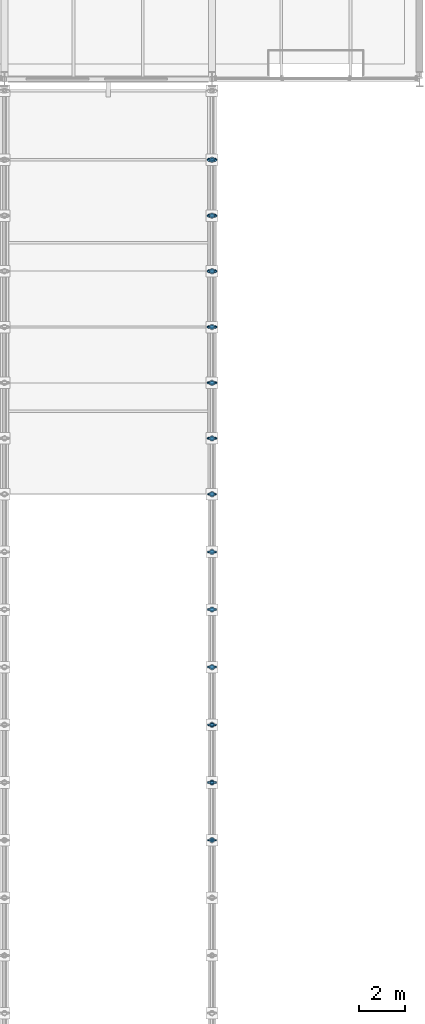
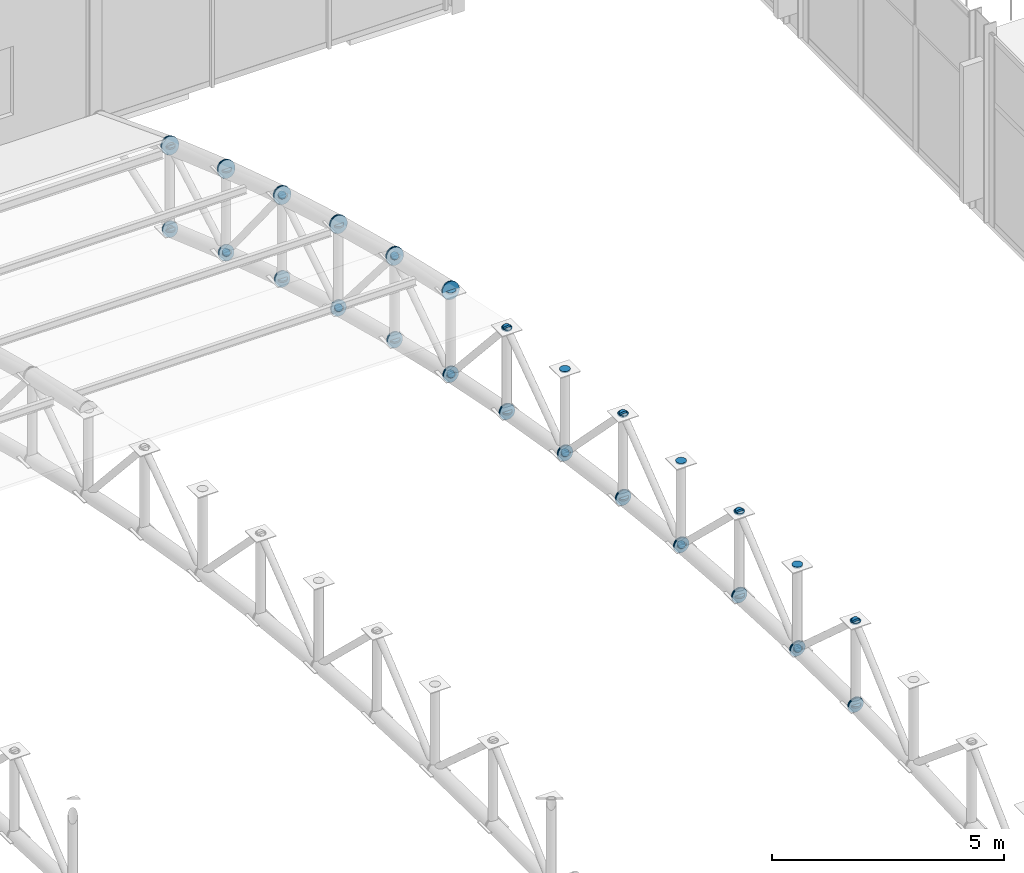
# One storey, part 140 of 195: 88 discrete accessories.
"""IFC4 building model written with IfcOpenShell, lengths in metres."""

from ifc_helpers import new_model, si_unit, direction, frame, origin, origin_2d, place, context, subcontext, project, spatial, circle, extrude, material, element, save


model = new_model("IFC4")

# Units and contexts
model_context = context("Model", 3, precision=1e-05, world=origin(), true_north=direction((0.0, 1.0)))
body_context = subcontext(model_context, "Body", "Model", "MODEL_VIEW")
ifc_project = project(units=[si_unit("LENGTHUNIT", "METRE"), si_unit("AREAUNIT", "SQUARE_METRE"), si_unit("VOLUMEUNIT", "CUBIC_METRE"), si_unit("PLANEANGLEUNIT", "RADIAN"), si_unit("MASSUNIT", "GRAM", prefix="KILO")], contexts=[model_context])

# Site, building, storey
site_placement = place(None, origin())
site = spatial("IfcSite", under=ifc_project, at=site_placement, CompositionType="ELEMENT")
building_placement = place(site_placement, origin())
building = spatial("IfcBuilding", under=site, at=building_placement, Name="Marlcrest Central Station", CompositionType="ELEMENT")
storey_placement = place(building_placement, frame((0.0, 0.0, 9.800048828125)))
storey = spatial("IfcBuildingStorey", under=building, at=storey_placement, Name="L02", CompositionType="ELEMENT", Elevation=9.800048828125)

# Discrete accessories
ifc_material = material(Name="Steel S355", Category="steel")
discrete_accessory_1_placement = place(storey_placement, frame((72.0, 65.97509765625, 4.799560546875), z_axis=(0.0, 0.999879472592, 0.01552547228), x_axis=(-1.0, 0.0, 0.0)))
element("IfcDiscreteAccessory", 1, at=discrete_accessory_1_placement, inside=storey, material=ifc_material, Name="endcap-mem-AC-02-L02-01036-e", ObjectType="END_CAP_PLATE", PredefinedType="BRACKET", context=body_context, shape_type="SweptSolid", body=[
    extrude(circle(Radius=0.185791015625, at=origin_2d()), origin(), (0.0, 0.0, 1.0), 0.0400390625),
])
discrete_accessory_2_placement = place(storey_placement, frame((72.0, 65.9814453125, 6.9833984375), z_axis=(0.0, 0.744955843007, 0.66711377738), x_axis=(-1.0, 0.0, 0.0)))
element("IfcDiscreteAccessory", 2, at=discrete_accessory_2_placement, inside=storey, material=ifc_material, Name="endcap-mem-AD-01-L02-01038-e", ObjectType="END_CAP_PLATE", PredefinedType="BRACKET", context=body_context, shape_type="SweptSolid", body=[
    extrude(circle(Radius=0.092041015625, at=origin_2d()), origin(), (0.0, 0.0, 1.0), 0.0400390625),
])
for number, where, z_axis, x_axis, name in (
    (3, (72.0, 65.985107421875, 4.80029296875), (0.0, 0.999879472592, -0.01552547228), (-1.0, 0.0, 0.0), "endcap-mem-AC-02-L02-01040-s"),
    (4, (72.0, 68.47509765625, 4.76171875), (0.0, 0.999879472592, -0.01552547228), (-1.0, 0.0, 0.0), "endcap-mem-AC-02-L02-01040-e"),
):
    element("IfcDiscreteAccessory", number, at=place(storey_placement, frame(where, z_axis=z_axis, x_axis=x_axis)), inside=storey, material=ifc_material, Name=name, ObjectType="END_CAP_PLATE", PredefinedType="BRACKET", context=body_context, shape_type="SweptSolid", body=[
        extrude(circle(Radius=0.185791015625, at=origin_2d()), origin(), (0.0, 0.0, 1.0), 0.0400390625),
    ])
for number, where, z_axis, x_axis, name in (
    (5, (72.0, 66.0, 4.78515625), (0.0, 0.0, 1.0), (1.0, 0.0, 0.0), "endcap-mem-AP-01-L02-01041-s"),
    (6, (72.0, 66.0, 6.97509765625), (0.0, 0.0, 1.0), (1.0, 0.0, 0.0), "endcap-mem-AP-01-L02-01041-e"),
):
    element("IfcDiscreteAccessory", number, at=place(storey_placement, frame(where, z_axis=z_axis, x_axis=x_axis)), inside=storey, material=ifc_material, Name=name, ObjectType="END_CAP_PLATE", PredefinedType="BRACKET", context=body_context, shape_type="SweptSolid", body=[
        extrude(circle(Radius=0.117431640625, at=origin_2d()), origin(), (0.0, 0.0, 1.0), 0.0400390625),
    ])
for number, where, z_axis, x_axis, name in (
    (7, (72.0, 65.98876953125, 7.010009765625), (0.0, 0.744955843007, -0.66711377738), (-1.0, 0.0, 0.0), "endcap-mem-AD-01-L02-01042-s"),
    (8, (72.0, 68.4814453125, 4.77783203125), (0.0, 0.744955843007, -0.66711377738), (-1.0, 0.0, 0.0), "endcap-mem-AD-01-L02-01042-e"),
):
    element("IfcDiscreteAccessory", number, at=place(storey_placement, frame(where, z_axis=z_axis, x_axis=x_axis)), inside=storey, material=ifc_material, Name=name, ObjectType="END_CAP_PLATE", PredefinedType="BRACKET", context=body_context, shape_type="SweptSolid", body=[
        extrude(circle(Radius=0.092041015625, at=origin_2d()), origin(), (0.0, 0.0, 1.0), 0.0400390625),
    ])
for number, where, z_axis, x_axis, name in (
    (9, (72.0, 68.485107421875, 4.761962890625), (0.0, 0.998916819647, -0.046531574509), (-1.0, 0.0, 0.0), "endcap-mem-AC-02-L02-01044-s"),
    (10, (72.0, 70.97509765625, 4.64599609375), (0.0, 0.998916819647, -0.046531574509), (-1.0, 0.0, 0.0), "endcap-mem-AC-02-L02-01044-e"),
):
    element("IfcDiscreteAccessory", number, at=place(storey_placement, frame(where, z_axis=z_axis, x_axis=x_axis)), inside=storey, material=ifc_material, Name=name, ObjectType="END_CAP_PLATE", PredefinedType="BRACKET", context=body_context, shape_type="SweptSolid", body=[
        extrude(circle(Radius=0.185791015625, at=origin_2d()), origin(), (0.0, 0.0, 1.0), 0.0400390625),
    ])
for number, where, z_axis, x_axis, name in (
    (11, (72.0, 68.5, 4.746337890625), (0.0, 0.0, 1.0), (1.0, 0.0, 0.0), "endcap-mem-AP-01-L02-01045-s"),
    (12, (72.0, 68.5, 6.936279296875), (0.0, 0.0, 1.0), (1.0, 0.0, 0.0), "endcap-mem-AP-01-L02-01045-e"),
):
    element("IfcDiscreteAccessory", number, at=place(storey_placement, frame(where, z_axis=z_axis, x_axis=x_axis)), inside=storey, material=ifc_material, Name=name, ObjectType="END_CAP_PLATE", PredefinedType="BRACKET", context=body_context, shape_type="SweptSolid", body=[
        extrude(circle(Radius=0.117431640625, at=origin_2d()), origin(), (0.0, 0.0, 1.0), 0.0400390625),
    ])
for number, where, z_axis, x_axis, name in (
    (13, (72.0, 68.488525390625, 4.751708984375), (0.0, 0.768159787854, 0.640258182552), (-1.0, 0.0, 0.0), "endcap-mem-AD-01-L02-01046-s"),
    (14, (72.0, 70.980712890625, 6.828857421875), (0.0, 0.768159787854, 0.640258182552), (-1.0, 0.0, 0.0), "endcap-mem-AD-01-L02-01046-e"),
):
    element("IfcDiscreteAccessory", number, at=place(storey_placement, frame(where, z_axis=z_axis, x_axis=x_axis)), inside=storey, material=ifc_material, Name=name, ObjectType="END_CAP_PLATE", PredefinedType="BRACKET", context=body_context, shape_type="SweptSolid", body=[
        extrude(circle(Radius=0.092041015625, at=origin_2d()), origin(), (0.0, 0.0, 1.0), 0.0400390625),
    ])
for number, where, z_axis, x_axis, name in (
    (15, (72.0, 70.985107421875, 4.64599609375), (0.0, 0.997007334767, -0.077307014043), (-1.0, 0.0, 0.0), "endcap-mem-AC-02-L02-01048-s"),
    (16, (72.0, 73.47509765625, 4.452880859375), (0.0, 0.997007334767, -0.077307014043), (-1.0, 0.0, 0.0), "endcap-mem-AC-02-L02-01048-e"),
):
    element("IfcDiscreteAccessory", number, at=place(storey_placement, frame(where, z_axis=z_axis, x_axis=x_axis)), inside=storey, material=ifc_material, Name=name, ObjectType="END_CAP_PLATE", PredefinedType="BRACKET", context=body_context, shape_type="SweptSolid", body=[
        extrude(circle(Radius=0.185791015625, at=origin_2d()), origin(), (0.0, 0.0, 1.0), 0.0400390625),
    ])
for number, where, z_axis, x_axis, name in (
    (17, (72.0, 71.0, 4.6298828125), (0.0, 0.0, 1.0), (1.0, 0.0, 0.0), "endcap-mem-AP-01-L02-01049-s"),
    (18, (72.0, 71.0, 6.820068359375), (0.0, 0.0, 1.0), (1.0, 0.0, 0.0), "endcap-mem-AP-01-L02-01049-e"),
):
    element("IfcDiscreteAccessory", number, at=place(storey_placement, frame(where, z_axis=z_axis, x_axis=x_axis)), inside=storey, material=ifc_material, Name=name, ObjectType="END_CAP_PLATE", PredefinedType="BRACKET", context=body_context, shape_type="SweptSolid", body=[
        extrude(circle(Radius=0.117431640625, at=origin_2d()), origin(), (0.0, 0.0, 1.0), 0.0400390625),
    ])
for number, where, z_axis, x_axis, name in (
    (19, (72.0, 70.9892578125, 6.855224609375), (0.0, 0.722246537655, -0.691635698071), (-1.0, 0.0, 0.0), "endcap-mem-AD-01-L02-01050-s"),
    (20, (72.0, 73.48193359375, 4.46826171875), (0.0, 0.722246537655, -0.691635698071), (-1.0, 0.0, 0.0), "endcap-mem-AD-01-L02-01050-e"),
):
    element("IfcDiscreteAccessory", number, at=place(storey_placement, frame(where, z_axis=z_axis, x_axis=x_axis)), inside=storey, material=ifc_material, Name=name, ObjectType="END_CAP_PLATE", PredefinedType="BRACKET", context=body_context, shape_type="SweptSolid", body=[
        extrude(circle(Radius=0.092041015625, at=origin_2d()), origin(), (0.0, 0.0, 1.0), 0.0400390625),
    ])
for number, where, z_axis, x_axis, name in (
    (21, (72.0, 73.485107421875, 4.45263671875), (0.0, 0.994155341034, -0.107959056565), (-1.0, 0.0, 0.0), "endcap-mem-AC-02-L02-01052-s"),
    (22, (72.0, 75.97509765625, 4.18212890625), (0.0, 0.994155341034, -0.107959056565), (-1.0, 0.0, 0.0), "endcap-mem-AC-02-L02-01052-e"),
):
    element("IfcDiscreteAccessory", number, at=place(storey_placement, frame(where, z_axis=z_axis, x_axis=x_axis)), inside=storey, material=ifc_material, Name=name, ObjectType="END_CAP_PLATE", PredefinedType="BRACKET", context=body_context, shape_type="SweptSolid", body=[
        extrude(circle(Radius=0.185791015625, at=origin_2d()), origin(), (0.0, 0.0, 1.0), 0.0400390625),
    ])
for number, where, z_axis, x_axis, name in (
    (23, (72.0, 73.5, 4.43603515625), (0.0, 0.0, 1.0), (1.0, 0.0, 0.0), "endcap-mem-AP-01-L02-01053-s"),
    (24, (72.0, 73.5, 6.6259765625), (0.0, 0.0, 1.0), (1.0, 0.0, 0.0), "endcap-mem-AP-01-L02-01053-e"),
):
    element("IfcDiscreteAccessory", number, at=place(storey_placement, frame(where, z_axis=z_axis, x_axis=x_axis)), inside=storey, material=ifc_material, Name=name, ObjectType="END_CAP_PLATE", PredefinedType="BRACKET", context=body_context, shape_type="SweptSolid", body=[
        extrude(circle(Radius=0.117431640625, at=origin_2d()), origin(), (0.0, 0.0, 1.0), 0.0400390625),
    ])
for number, where, z_axis, x_axis, name in (
    (25, (72.0, 73.488037109375, 4.441650390625), (0.0, 0.791798282026, 0.610782678684), (-1.0, 0.0, 0.0), "endcap-mem-AD-01-L02-01054-s"),
    (26, (72.0, 75.980224609375, 6.364013671875), (0.0, 0.791798282026, 0.610782678684), (-1.0, 0.0, 0.0), "endcap-mem-AD-01-L02-01054-e"),
):
    element("IfcDiscreteAccessory", number, at=place(storey_placement, frame(where, z_axis=z_axis, x_axis=x_axis)), inside=storey, material=ifc_material, Name=name, ObjectType="END_CAP_PLATE", PredefinedType="BRACKET", context=body_context, shape_type="SweptSolid", body=[
        extrude(circle(Radius=0.092041015625, at=origin_2d()), origin(), (0.0, 0.0, 1.0), 0.0400390625),
    ])
for number, where, z_axis, x_axis, name in (
    (27, (72.0, 75.985107421875, 4.181396484375), (0.0, 0.990402740232, -0.138211476152), (-1.0, 0.0, 0.0), "endcap-mem-AC-02-L02-01056-s"),
    (28, (72.0, 78.475341796875, 3.833984375), (0.0, 0.990402740232, -0.138211476152), (-1.0, 0.0, 0.0), "endcap-mem-AC-02-L02-01056-e"),
):
    element("IfcDiscreteAccessory", number, at=place(storey_placement, frame(where, z_axis=z_axis, x_axis=x_axis)), inside=storey, material=ifc_material, Name=name, ObjectType="END_CAP_PLATE", PredefinedType="BRACKET", context=body_context, shape_type="SweptSolid", body=[
        extrude(circle(Radius=0.185791015625, at=origin_2d()), origin(), (0.0, 0.0, 1.0), 0.0400390625),
    ])
for number, where, z_axis, x_axis, name in (
    (29, (72.0, 76.0, 4.16455078125), (0.0, 0.0, 1.0), (1.0, 0.0, 0.0), "endcap-mem-AP-01-L02-01057-s"),
    (30, (72.0, 76.0, 6.3544921875), (0.0, 0.0, 1.0), (1.0, 0.0, 0.0), "endcap-mem-AP-01-L02-01057-e"),
):
    element("IfcDiscreteAccessory", number, at=place(storey_placement, frame(where, z_axis=z_axis, x_axis=x_axis)), inside=storey, material=ifc_material, Name=name, ObjectType="END_CAP_PLATE", PredefinedType="BRACKET", context=body_context, shape_type="SweptSolid", body=[
        extrude(circle(Radius=0.117431640625, at=origin_2d()), origin(), (0.0, 0.0, 1.0), 0.0400390625),
    ])
for number, where, z_axis, x_axis, name in (
    (31, (72.0, 75.989501953125, 6.39013671875), (0.0, 0.70023547796, -0.713911952139), (-1.0, 0.0, 0.0), "endcap-mem-AD-01-L02-01058-s"),
    (32, (72.0, 78.482421875, 3.848388671875), (0.0, 0.70023547796, -0.713911952139), (-1.0, 0.0, 0.0), "endcap-mem-AD-01-L02-01058-e"),
):
    element("IfcDiscreteAccessory", number, at=place(storey_placement, frame(where, z_axis=z_axis, x_axis=x_axis)), inside=storey, material=ifc_material, Name=name, ObjectType="END_CAP_PLATE", PredefinedType="BRACKET", context=body_context, shape_type="SweptSolid", body=[
        extrude(circle(Radius=0.092041015625, at=origin_2d()), origin(), (0.0, 0.0, 1.0), 0.0400390625),
    ])
for number, where, z_axis, x_axis, name in (
    (33, (72.0, 78.485107421875, 3.8330078125), (0.0, 0.98574109921, -0.168269086076), (-1.0, 0.0, 0.0), "endcap-mem-AC-02-L02-01060-s"),
    (34, (72.0, 80.975341796875, 3.407958984375), (0.0, 0.98574109921, -0.168269086076), (-1.0, 0.0, 0.0), "endcap-mem-AC-02-L02-01060-e"),
):
    element("IfcDiscreteAccessory", number, at=place(storey_placement, frame(where, z_axis=z_axis, x_axis=x_axis)), inside=storey, material=ifc_material, Name=name, ObjectType="END_CAP_PLATE", PredefinedType="BRACKET", context=body_context, shape_type="SweptSolid", body=[
        extrude(circle(Radius=0.185791015625, at=origin_2d()), origin(), (0.0, 0.0, 1.0), 0.0400390625),
    ])
for number, where, z_axis, x_axis, name in (
    (35, (72.0, 78.5, 3.815673828125), (0.0, 0.0, 1.0), (1.0, 0.0, 0.0), "endcap-mem-AP-01-L02-01061-s"),
    (36, (72.0, 78.5, 6.005615234375), (0.0, 0.0, 1.0), (1.0, 0.0, 0.0), "endcap-mem-AP-01-L02-01061-e"),
):
    element("IfcDiscreteAccessory", number, at=place(storey_placement, frame(where, z_axis=z_axis, x_axis=x_axis)), inside=storey, material=ifc_material, Name=name, ObjectType="END_CAP_PLATE", PredefinedType="BRACKET", context=body_context, shape_type="SweptSolid", body=[
        extrude(circle(Radius=0.117431640625, at=origin_2d()), origin(), (0.0, 0.0, 1.0), 0.0400390625),
    ])
for number, where, z_axis, x_axis, name in (
    (37, (72.0, 78.48779296875, 3.82177734375), (0.0, 0.815661132754, 0.57852996164), (-1.0, 0.0, 0.0), "endcap-mem-AD-01-L02-01062-s"),
    (38, (72.0, 80.9794921875, 5.58935546875), (0.0, 0.815661132754, 0.57852996164), (-1.0, 0.0, 0.0), "endcap-mem-AD-01-L02-01062-e"),
):
    element("IfcDiscreteAccessory", number, at=place(storey_placement, frame(where, z_axis=z_axis, x_axis=x_axis)), inside=storey, material=ifc_material, Name=name, ObjectType="END_CAP_PLATE", PredefinedType="BRACKET", context=body_context, shape_type="SweptSolid", body=[
        extrude(circle(Radius=0.092041015625, at=origin_2d()), origin(), (0.0, 0.0, 1.0), 0.0400390625),
    ])
for number, where, z_axis, x_axis, name in (
    (39, (72.0, 80.9853515625, 3.40673828125), (0.0, 0.980359417961, -0.197219196874), (-1.0, 0.0, 0.0), "endcap-mem-AC-02-L02-01064-s"),
    (40, (72.0, 83.3955078125, 2.921875), (0.0, 0.980359417961, -0.197219196874), (-1.0, 0.0, 0.0), "endcap-mem-AC-02-L02-01064-e"),
):
    element("IfcDiscreteAccessory", number, at=place(storey_placement, frame(where, z_axis=z_axis, x_axis=x_axis)), inside=storey, material=ifc_material, Name=name, ObjectType="END_CAP_PLATE", PredefinedType="BRACKET", context=body_context, shape_type="SweptSolid", body=[
        extrude(circle(Radius=0.185791015625, at=origin_2d()), origin(), (0.0, 0.0, 1.0), 0.0400390625),
    ])
for number, where, z_axis, x_axis, name in (
    (41, (72.0, 81.0, 3.388916015625), (0.0, 0.0, 1.0), (1.0, 0.0, 0.0), "endcap-mem-AP-01-L02-01065-s"),
    (42, (72.0, 81.0, 5.578857421875), (0.0, 0.0, 1.0), (1.0, 0.0, 0.0), "endcap-mem-AP-01-L02-01065-e"),
):
    element("IfcDiscreteAccessory", number, at=place(storey_placement, frame(where, z_axis=z_axis, x_axis=x_axis)), inside=storey, material=ifc_material, Name=name, ObjectType="END_CAP_PLATE", PredefinedType="BRACKET", context=body_context, shape_type="SweptSolid", body=[
        extrude(circle(Radius=0.117431640625, at=origin_2d()), origin(), (0.0, 0.0, 1.0), 0.0400390625),
    ])
for number, where, z_axis, x_axis, name in (
    (43, (72.0, 80.989990234375, 5.614990234375), (0.0, 0.669244457479, -0.743042297675), (-1.0, 0.0, 0.0), "endcap-mem-AD-01-L02-01066-s"),
    (44, (72.0, 83.403076171875, 2.935546875), (0.0, 0.669244457479, -0.743042297675), (-1.0, 0.0, 0.0), "endcap-mem-AD-01-L02-01066-e"),
):
    element("IfcDiscreteAccessory", number, at=place(storey_placement, frame(where, z_axis=z_axis, x_axis=x_axis)), inside=storey, material=ifc_material, Name=name, ObjectType="END_CAP_PLATE", PredefinedType="BRACKET", context=body_context, shape_type="SweptSolid", body=[
        extrude(circle(Radius=0.092041015625, at=origin_2d()), origin(), (0.0, 0.0, 1.0), 0.0400390625),
    ])
for number, where, z_axis, x_axis, name in (
    (45, (72.0, 83.4052734375, 5.120361328125), (0.0, 0.974329612642, -0.225126200004), (-1.0, 0.0, 0.0), "endcap-mem-AC-01-L02-01067-s"),
    (46, (72.0, 85.8056640625, 4.565673828125), (0.0, 0.974329612642, -0.225126200004), (-1.0, 0.0, 0.0), "endcap-mem-AC-01-L02-01067-e"),
):
    element("IfcDiscreteAccessory", number, at=place(storey_placement, frame(where, z_axis=z_axis, x_axis=x_axis)), inside=storey, material=ifc_material, Name=name, ObjectType="END_CAP_PLATE", PredefinedType="BRACKET", context=body_context, shape_type="SweptSolid", body=[
        extrude(circle(Radius=0.211181640625, at=origin_2d()), origin(), (0.0, 0.0, 1.0), 0.0400390625),
    ])
for number, where, z_axis, x_axis, name in (
    (47, (72.0, 83.4052734375, 2.92041015625), (0.0, 0.974307959875, -0.225219891049), (-1.0, 0.0, 0.0), "endcap-mem-AC-02-L02-01068-s"),
    (48, (72.0, 85.8056640625, 2.365478515625), (0.0, 0.974307959875, -0.225219891049), (-1.0, 0.0, 0.0), "endcap-mem-AC-02-L02-01068-e"),
):
    element("IfcDiscreteAccessory", number, at=place(storey_placement, frame(where, z_axis=z_axis, x_axis=x_axis)), inside=storey, material=ifc_material, Name=name, ObjectType="END_CAP_PLATE", PredefinedType="BRACKET", context=body_context, shape_type="SweptSolid", body=[
        extrude(circle(Radius=0.185791015625, at=origin_2d()), origin(), (0.0, 0.0, 1.0), 0.0400390625),
    ])
for number, where, z_axis, x_axis, name in (
    (49, (72.0, 83.419921875, 2.902099609375), (0.0, 0.0, 1.0), (1.0, 0.0, 0.0), "endcap-mem-AP-01-L02-01069-s"),
    (50, (72.0, 83.419921875, 5.092041015625), (0.0, 0.0, 1.0), (1.0, 0.0, 0.0), "endcap-mem-AP-01-L02-01069-e"),
):
    element("IfcDiscreteAccessory", number, at=place(storey_placement, frame(where, z_axis=z_axis, x_axis=x_axis)), inside=storey, material=ifc_material, Name=name, ObjectType="END_CAP_PLATE", PredefinedType="BRACKET", context=body_context, shape_type="SweptSolid", body=[
        extrude(circle(Radius=0.117431640625, at=origin_2d()), origin(), (0.0, 0.0, 1.0), 0.0400390625),
    ])
for number, where, z_axis, x_axis, name in (
    (51, (72.0, 83.407470703125, 2.908447265625), (0.0, 0.82626275624, 0.563284881432), (-1.0, 0.0, 0.0), "endcap-mem-AD-01-L02-01070-s"),
    (52, (72.0, 85.809326171875, 4.5458984375), (0.0, 0.82626275624, 0.563284881432), (-1.0, 0.0, 0.0), "endcap-mem-AD-01-L02-01070-e"),
):
    element("IfcDiscreteAccessory", number, at=place(storey_placement, frame(where, z_axis=z_axis, x_axis=x_axis)), inside=storey, material=ifc_material, Name=name, ObjectType="END_CAP_PLATE", PredefinedType="BRACKET", context=body_context, shape_type="SweptSolid", body=[
        extrude(circle(Radius=0.092041015625, at=origin_2d()), origin(), (0.0, 0.0, 1.0), 0.0400390625),
    ])
for number, where, z_axis, x_axis, name in (
    (53, (72.0, 85.815673828125, 4.56396484375), (0.0, 0.967539481681, -0.252719906989), (-1.0, 0.0, 0.0), "endcap-mem-AC-01-L02-01071-s"),
    (54, (72.0, 88.225830078125, 3.934326171875), (0.0, 0.967539481681, -0.252719906989), (-1.0, 0.0, 0.0), "endcap-mem-AC-01-L02-01071-e"),
):
    element("IfcDiscreteAccessory", number, at=place(storey_placement, frame(where, z_axis=z_axis, x_axis=x_axis)), inside=storey, material=ifc_material, Name=name, ObjectType="END_CAP_PLATE", PredefinedType="BRACKET", context=body_context, shape_type="SweptSolid", body=[
        extrude(circle(Radius=0.211181640625, at=origin_2d()), origin(), (0.0, 0.0, 1.0), 0.0400390625),
    ])
for number, where, z_axis, x_axis, name in (
    (55, (72.0, 85.815673828125, 2.36376953125), (0.0, 0.967563345928, -0.252628524946), (-1.0, 0.0, 0.0), "endcap-mem-AC-02-L02-01072-s"),
    (56, (72.0, 88.225830078125, 1.734375), (0.0, 0.967563345928, -0.252628524946), (-1.0, 0.0, 0.0), "endcap-mem-AC-02-L02-01072-e"),
):
    element("IfcDiscreteAccessory", number, at=place(storey_placement, frame(where, z_axis=z_axis, x_axis=x_axis)), inside=storey, material=ifc_material, Name=name, ObjectType="END_CAP_PLATE", PredefinedType="BRACKET", context=body_context, shape_type="SweptSolid", body=[
        extrude(circle(Radius=0.185791015625, at=origin_2d()), origin(), (0.0, 0.0, 1.0), 0.0400390625),
    ])
for number, where, z_axis, x_axis, name in (
    (57, (72.0, 85.830078125, 2.344970703125), (0.0, 0.0, 1.0), (1.0, 0.0, 0.0), "endcap-mem-AP-01-L02-01073-s"),
    (58, (72.0, 85.830078125, 4.53515625), (0.0, 0.0, 1.0), (1.0, 0.0, 0.0), "endcap-mem-AP-01-L02-01073-e"),
):
    element("IfcDiscreteAccessory", number, at=place(storey_placement, frame(where, z_axis=z_axis, x_axis=x_axis)), inside=storey, material=ifc_material, Name=name, ObjectType="END_CAP_PLATE", PredefinedType="BRACKET", context=body_context, shape_type="SweptSolid", body=[
        extrude(circle(Radius=0.117431640625, at=origin_2d()), origin(), (0.0, 0.0, 1.0), 0.0400390625),
    ])
for number, where, z_axis, x_axis, name in (
    (59, (72.0, 85.8203125, 4.571533203125), (0.0, 0.649624779144, -0.760254987699), (-1.0, 0.0, 0.0), "endcap-mem-AD-01-L02-01074-s"),
    (60, (72.0, 88.233642578125, 1.7470703125), (0.0, 0.649624779144, -0.760254987699), (-1.0, 0.0, 0.0), "endcap-mem-AD-01-L02-01074-e"),
):
    element("IfcDiscreteAccessory", number, at=place(storey_placement, frame(where, z_axis=z_axis, x_axis=x_axis)), inside=storey, material=ifc_material, Name=name, ObjectType="END_CAP_PLATE", PredefinedType="BRACKET", context=body_context, shape_type="SweptSolid", body=[
        extrude(circle(Radius=0.092041015625, at=origin_2d()), origin(), (0.0, 0.0, 1.0), 0.0400390625),
    ])
for number, where, z_axis, x_axis, name in (
    (61, (72.0, 88.235595703125, 3.93212890625), (0.0, 0.960130083362, -0.27955361386), (-1.0, 0.0, 0.0), "endcap-mem-AC-01-L02-01075-s"),
    (62, (72.0, 90.64599609375, 3.23046875), (0.0, 0.960130083362, -0.27955361386), (-1.0, 0.0, 0.0), "endcap-mem-AC-01-L02-01075-e"),
):
    element("IfcDiscreteAccessory", number, at=place(storey_placement, frame(where, z_axis=z_axis, x_axis=x_axis)), inside=storey, material=ifc_material, Name=name, ObjectType="END_CAP_PLATE", PredefinedType="BRACKET", context=body_context, shape_type="SweptSolid", body=[
        extrude(circle(Radius=0.211181640625, at=origin_2d()), origin(), (0.0, 0.0, 1.0), 0.0400390625),
    ])
for number, where, z_axis, x_axis, name in (
    (63, (72.0, 88.235595703125, 1.732177734375), (0.0, 0.960130083362, -0.27955361386), (-1.0, 0.0, 0.0), "endcap-mem-AC-02-L02-01076-s"),
    (64, (72.0, 90.64599609375, 1.030517578125), (0.0, 0.960130083362, -0.27955361386), (-1.0, 0.0, 0.0), "endcap-mem-AC-02-L02-01076-e"),
):
    element("IfcDiscreteAccessory", number, at=place(storey_placement, frame(where, z_axis=z_axis, x_axis=x_axis)), inside=storey, material=ifc_material, Name=name, ObjectType="END_CAP_PLATE", PredefinedType="BRACKET", context=body_context, shape_type="SweptSolid", body=[
        extrude(circle(Radius=0.185791015625, at=origin_2d()), origin(), (0.0, 0.0, 1.0), 0.0400390625),
    ])
for number, where, z_axis, x_axis, name in (
    (65, (72.0, 88.25, 1.713134765625), (0.0, 0.0, 1.0), (1.0, 0.0, 0.0), "endcap-mem-AP-01-L02-01077-s"),
    (66, (72.0, 88.25, 3.903076171875), (0.0, 0.0, 1.0), (1.0, 0.0, 0.0), "endcap-mem-AP-01-L02-01077-e"),
):
    element("IfcDiscreteAccessory", number, at=place(storey_placement, frame(where, z_axis=z_axis, x_axis=x_axis)), inside=storey, material=ifc_material, Name=name, ObjectType="END_CAP_PLATE", PredefinedType="BRACKET", context=body_context, shape_type="SweptSolid", body=[
        extrude(circle(Radius=0.117431640625, at=origin_2d()), origin(), (0.0, 0.0, 1.0), 0.0400390625),
    ])
for number, where, z_axis, x_axis, name in (
    (67, (72.0, 88.2373046875, 1.72021484375), (0.0, 0.850687380038, 0.525671933286), (-1.0, 0.0, 0.0), "endcap-mem-AD-01-L02-01078-s"),
    (68, (72.0, 90.648681640625, 3.210205078125), (0.0, 0.850687380038, 0.525671933286), (-1.0, 0.0, 0.0), "endcap-mem-AD-01-L02-01078-e"),
):
    element("IfcDiscreteAccessory", number, at=place(storey_placement, frame(where, z_axis=z_axis, x_axis=x_axis)), inside=storey, material=ifc_material, Name=name, ObjectType="END_CAP_PLATE", PredefinedType="BRACKET", context=body_context, shape_type="SweptSolid", body=[
        extrude(circle(Radius=0.092041015625, at=origin_2d()), origin(), (0.0, 0.0, 1.0), 0.0400390625),
    ])
for number, where, z_axis, x_axis, name in (
    (69, (72.0, 90.65576171875, 3.22802734375), (0.0, 0.952116828449, -0.305734435391), (-1.0, 0.0, 0.0), "endcap-mem-AC-01-L02-01079-s"),
    (70, (72.0, 93.056396484375, 2.45703125), (0.0, 0.952116828449, -0.305734435391), (-1.0, 0.0, 0.0), "endcap-mem-AC-01-L02-01079-e"),
):
    element("IfcDiscreteAccessory", number, at=place(storey_placement, frame(where, z_axis=z_axis, x_axis=x_axis)), inside=storey, material=ifc_material, Name=name, ObjectType="END_CAP_PLATE", PredefinedType="BRACKET", context=body_context, shape_type="SweptSolid", body=[
        extrude(circle(Radius=0.211181640625, at=origin_2d()), origin(), (0.0, 0.0, 1.0), 0.0400390625),
    ])
for number, where, z_axis, x_axis, name in (
    (71, (72.0, 90.65576171875, 1.028076171875), (0.0, 0.952116828449, -0.305734435391), (-1.0, 0.0, 0.0), "endcap-mem-AC-02-L02-01080-s"),
    (72, (72.0, 93.056396484375, 0.257080078125), (0.0, 0.952116828449, -0.305734435391), (-1.0, 0.0, 0.0), "endcap-mem-AC-02-L02-01080-e"),
):
    element("IfcDiscreteAccessory", number, at=place(storey_placement, frame(where, z_axis=z_axis, x_axis=x_axis)), inside=storey, material=ifc_material, Name=name, ObjectType="END_CAP_PLATE", PredefinedType="BRACKET", context=body_context, shape_type="SweptSolid", body=[
        extrude(circle(Radius=0.185791015625, at=origin_2d()), origin(), (0.0, 0.0, 1.0), 0.0400390625),
    ])
for number, where, z_axis, x_axis, name in (
    (73, (72.0, 90.669921875, 1.008544921875), (0.0, 0.0, 1.0), (1.0, 0.0, 0.0), "endcap-mem-AP-01-L02-01081-s"),
    (74, (72.0, 90.669921875, 3.198486328125), (0.0, 0.0, 1.0), (1.0, 0.0, 0.0), "endcap-mem-AP-01-L02-01081-e"),
):
    element("IfcDiscreteAccessory", number, at=place(storey_placement, frame(where, z_axis=z_axis, x_axis=x_axis)), inside=storey, material=ifc_material, Name=name, ObjectType="END_CAP_PLATE", PredefinedType="BRACKET", context=body_context, shape_type="SweptSolid", body=[
        extrude(circle(Radius=0.117431640625, at=origin_2d()), origin(), (0.0, 0.0, 1.0), 0.0400390625),
    ])
for number, where, z_axis, x_axis, name in (
    (75, (72.0, 90.660400390625, 3.235107421875), (0.0, 0.62962929743, -0.776895712318), (-1.0, 0.0, 0.0), "endcap-mem-AD-01-L02-01082-s"),
    (76, (72.0, 93.064453125, 0.26904296875), (0.0, 0.62962929743, -0.776895712318), (-1.0, 0.0, 0.0), "endcap-mem-AD-01-L02-01082-e"),
):
    element("IfcDiscreteAccessory", number, at=place(storey_placement, frame(where, z_axis=z_axis, x_axis=x_axis)), inside=storey, material=ifc_material, Name=name, ObjectType="END_CAP_PLATE", PredefinedType="BRACKET", context=body_context, shape_type="SweptSolid", body=[
        extrude(circle(Radius=0.092041015625, at=origin_2d()), origin(), (0.0, 0.0, 1.0), 0.0400390625),
    ])
for number, where, z_axis, x_axis, name in (
    (77, (72.0, 93.06591796875, 2.454345703125), (0.0, 0.94353735649, -0.331266142109), (-1.0, 0.0, 0.0), "endcap-mem-AC-01-L02-01083-s"),
    (78, (72.0, 95.476318359375, 1.608154296875), (0.0, 0.94353735649, -0.331266142109), (-1.0, 0.0, 0.0), "endcap-mem-AC-01-L02-01083-e"),
):
    element("IfcDiscreteAccessory", number, at=place(storey_placement, frame(where, z_axis=z_axis, x_axis=x_axis)), inside=storey, material=ifc_material, Name=name, ObjectType="END_CAP_PLATE", PredefinedType="BRACKET", context=body_context, shape_type="SweptSolid", body=[
        extrude(circle(Radius=0.211181640625, at=origin_2d()), origin(), (0.0, 0.0, 1.0), 0.0400390625),
    ])
for number, where, z_axis, x_axis, name in (
    (79, (72.0, 93.06591796875, 0.25439453125), (0.0, 0.94353735649, -0.331266142109), (-1.0, 0.0, 0.0), "endcap-mem-AC-02-L02-01084-s"),
    (80, (72.0, 95.476318359375, -0.591796875), (0.0, 0.94353735649, -0.331266142109), (-1.0, 0.0, 0.0), "endcap-mem-AC-02-L02-01084-e"),
):
    element("IfcDiscreteAccessory", number, at=place(storey_placement, frame(where, z_axis=z_axis, x_axis=x_axis)), inside=storey, material=ifc_material, Name=name, ObjectType="END_CAP_PLATE", PredefinedType="BRACKET", context=body_context, shape_type="SweptSolid", body=[
        extrude(circle(Radius=0.185791015625, at=origin_2d()), origin(), (0.0, 0.0, 1.0), 0.0400390625),
    ])
for number, where, z_axis, x_axis, name in (
    (81, (72.0, 93.080078125, 0.234619140625), (0.0, 0.0, 1.0), (1.0, 0.0, 0.0), "endcap-mem-AP-01-L02-01085-s"),
    (82, (72.0, 93.080078125, 2.424560546875), (0.0, 0.0, 1.0), (1.0, 0.0, 0.0), "endcap-mem-AP-01-L02-01085-e"),
):
    element("IfcDiscreteAccessory", number, at=place(storey_placement, frame(where, z_axis=z_axis, x_axis=x_axis)), inside=storey, material=ifc_material, Name=name, ObjectType="END_CAP_PLATE", PredefinedType="BRACKET", context=body_context, shape_type="SweptSolid", body=[
        extrude(circle(Radius=0.117431640625, at=origin_2d()), origin(), (0.0, 0.0, 1.0), 0.0400390625),
    ])
for number, where, z_axis, x_axis, name in (
    (83, (72.0, 93.06689453125, 0.2421875), (0.0, 0.873245653167, 0.487280236851), (-1.0, 0.0, 0.0), "endcap-mem-AD-01-L02-01086-s"),
    (84, (72.0, 95.478271484375, 1.587646484375), (0.0, 0.873245653167, 0.487280236851), (-1.0, 0.0, 0.0), "endcap-mem-AD-01-L02-01086-e"),
):
    element("IfcDiscreteAccessory", number, at=place(storey_placement, frame(where, z_axis=z_axis, x_axis=x_axis)), inside=storey, material=ifc_material, Name=name, ObjectType="END_CAP_PLATE", PredefinedType="BRACKET", context=body_context, shape_type="SweptSolid", body=[
        extrude(circle(Radius=0.092041015625, at=origin_2d()), origin(), (0.0, 0.0, 1.0), 0.0400390625),
    ])
discrete_accessory_3_placement = place(storey_placement, frame((72.0, 95.486083984375, 1.605224609375), z_axis=(0.0, 0.933324071143, -0.359035065453), x_axis=(-1.0, 0.0, 0.0)))
element("IfcDiscreteAccessory", 85, at=discrete_accessory_3_placement, inside=storey, material=ifc_material, Name="endcap-mem-AC-01-L02-01087-s", ObjectType="END_CAP_PLATE", PredefinedType="BRACKET", context=body_context, shape_type="SweptSolid", body=[
    extrude(circle(Radius=0.211181640625, at=origin_2d()), origin(), (0.0, 0.0, 1.0), 0.0400390625),
])
for number, where, z_axis, x_axis, name in (
    (86, (72.0, 95.5, -0.614990234375), (0.0, 0.0, 1.0), (1.0, 0.0, 0.0), "endcap-mem-AP-01-L02-01088-s"),
    (87, (72.0, 95.5, 1.574951171875), (0.0, 0.0, 1.0), (1.0, 0.0, 0.0), "endcap-mem-AP-01-L02-01088-e"),
):
    element("IfcDiscreteAccessory", number, at=place(storey_placement, frame(where, z_axis=z_axis, x_axis=x_axis)), inside=storey, material=ifc_material, Name=name, ObjectType="END_CAP_PLATE", PredefinedType="BRACKET", context=body_context, shape_type="SweptSolid", body=[
        extrude(circle(Radius=0.117431640625, at=origin_2d()), origin(), (0.0, 0.0, 1.0), 0.0400390625),
    ])
discrete_accessory_4_placement = place(storey_placement, frame((72.0, 95.48583984375, -0.60498046875), z_axis=(0.0, 0.944260188635, 0.329200085296), x_axis=(-1.0, 0.0, 0.0)))
element("IfcDiscreteAccessory", 88, at=discrete_accessory_4_placement, inside=storey, material=ifc_material, Name="endcap-mem-AD-01-L02-01089-s", ObjectType="END_CAP_PLATE", PredefinedType="BRACKET", context=body_context, shape_type="SweptSolid", body=[
    extrude(circle(Radius=0.092041015625, at=origin_2d()), origin(), (0.0, 0.0, 1.0), 0.0400390625),
])

save(model, "model.ifc")
